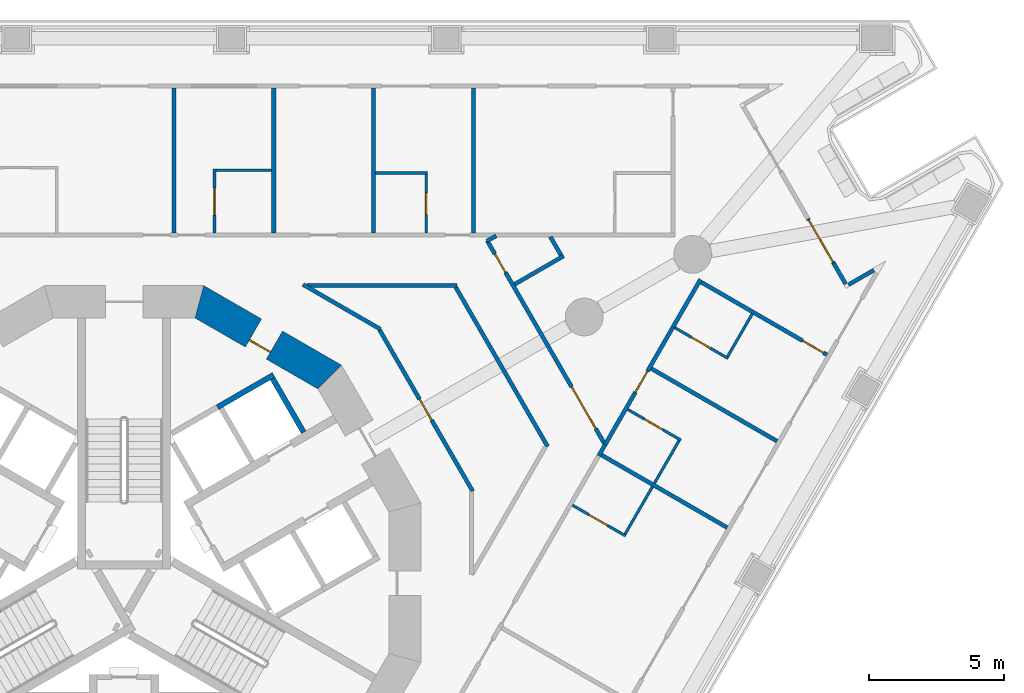
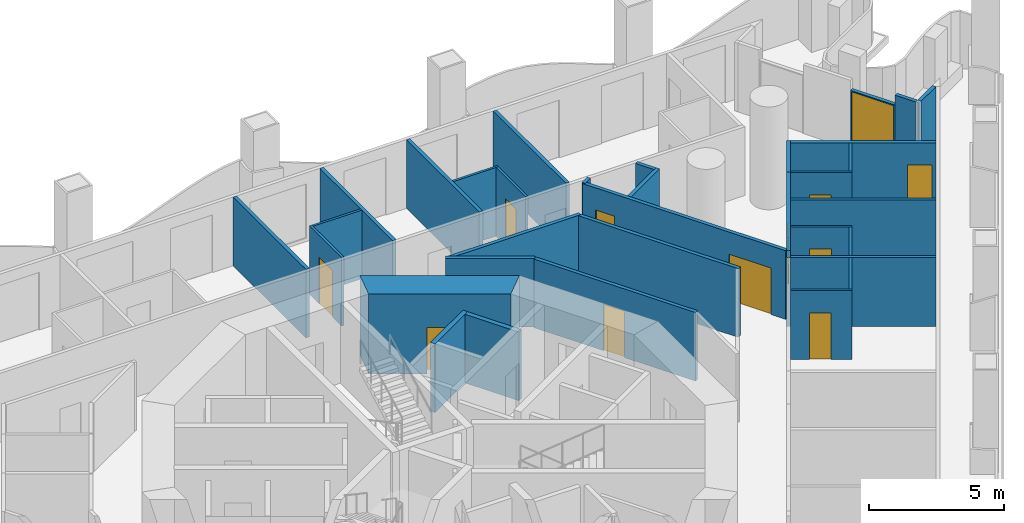
# One storey, part 9 of 19: 34 walls, 12 doors, 12 openings.
"""IFC4 building model written with IfcOpenShell, lengths in metres."""

from ifc_helpers import new_model, si_unit, direction, frame, frame_2d, origin, place, context, subcontext, project, spatial, polyline, rectangle, outline, extrude, material, layer, layer_set, type_object, element, fill, save


model = new_model("IFC4")

# Units and contexts
model_context = context("Model", 3, precision=1e-05, world=origin(), true_north=direction((0.0, 1.0)))
body_context = subcontext(model_context, "Body", "Model", "MODEL_VIEW")
ifc_project = project(units=[si_unit("LENGTHUNIT", "METRE"), si_unit("AREAUNIT", "SQUARE_METRE"), si_unit("VOLUMEUNIT", "CUBIC_METRE"), si_unit("PLANEANGLEUNIT", "RADIAN"), si_unit("MASSUNIT", "GRAM", prefix="KILO")], contexts=[model_context])

# Site, building, storey
site_placement = place(None, origin())
site = spatial("IfcSite", under=ifc_project, at=site_placement, CompositionType="ELEMENT")
building_placement = place(site_placement, origin())
building = spatial("IfcBuilding", under=site, at=building_placement, Name="Trine Commons Tower", CompositionType="ELEMENT")
storey_placement = place(building_placement, frame((0.0, 0.0, 42.300048828125)))
storey = spatial("IfcBuildingStorey", under=building, at=storey_placement, Name="L09", CompositionType="ELEMENT", Elevation=42.300048828125)

# Wall, opening, door
ifc_material_1 = material(Name="Aluminium-framed insulated wall panel", Category="aluminium")
ifc_layer_1 = layer(ifc_material_1, 0.14990234375)
ifc_layer_set_1 = layer_set([ifc_layer_1], Name="Aluminium-framed insulated wall panel")
wall_type_1 = type_object("IfcWallType", Name="Glazed frame wall 150, EI 60", PredefinedType="SOLIDWALL", material=ifc_layer_set_1)
wall_1_placement = place(storey_placement, frame((105.358642578125, 75.986083984375, 0.0), z_axis=(0.0, 0.0, 1.0), x_axis=(0.499967155389, -0.866044365799, 0.0)))
wall_1 = element("IfcWall", 1, at=wall_1_placement, inside=storey, type_object=wall_type_1, Name="Glazed frame wall P2.4", PredefinedType="SOLIDWALL", context=body_context, shape_type="SweptSolid", body=[
    extrude(outline(polyline([(0.0, -0.074951171875), (1.89990234375, -0.074951171875), (1.89990234375, 0.074951171875), (0.0, 0.074951171875), (0.0, -0.074951171875)])), origin(), (0.0, 0.0, 1.0), 2.64990234375),
])
opening_1_placement = place(wall_1_placement, frame((0.050048828125, 0.0, 0.0)))
opening_1 = element("IfcOpeningElement", 2, at=opening_1_placement, cuts=wall_1, Name="Opening BD-1P2-02", PredefinedType="OPENING", context=body_context, shape_type="SweptSolid", body=[
    extrude(rectangle(XDim=1.800048828125, YDim=2.60009765625, at=frame_2d((0.89990234375, 1.300048828125))), frame((0.0, 0.0849609375, 0.0), z_axis=(0.0, -1.0, 0.0), x_axis=(1.0, 0.0, 0.0)), (0.0, 0.0, 1.0), 0.169921875),
])
ifc_material_2 = material(Name="Anodised aluminium frame with double glazing", Category="aluminium")
door_type_1 = type_object("IfcDoorType", Name="Sliding loggia door 1800x2600", OperationType="SLIDING_TO_LEFT", PredefinedType="DOOR", material=ifc_material_2)
door_1_placement = place(opening_1_placement, origin())
door_1 = element("IfcDoor", 3, at=door_1_placement, inside=storey, type_object=door_type_1, Name="Loggia door P2 2", OperationType="SLIDING_TO_LEFT", OverallHeight=2.60009765625, OverallWidth=1.800048828125, PredefinedType="DOOR", context=body_context, shape_type="SweptSolid", body=[
    extrude(rectangle(XDim=1.800048828125, YDim=2.60009765625, at=frame_2d((0.89990234375, 1.300048828125))), frame((0.0, 0.02490234375, 0.0), z_axis=(0.0, -1.0, 0.0), x_axis=(1.0, 0.0, 0.0)), (0.0, 0.0, 1.0), 0.050048828125),
])
fill(opening_1, door_1)

# Walls
wall_2_placement = place(storey_placement, frame((106.30859375, 74.340576171875, 0.0), z_axis=(0.0, 0.0, 1.0), x_axis=(0.50002537861, -0.866010750942, 0.0)))
element("IfcWall", 4, at=wall_2_placement, inside=storey, type_object=wall_type_1, Name="Glazed frame wall P2.5", PredefinedType="SOLIDWALL", context=body_context, shape_type="SweptSolid", body=[
    extrude(outline(polyline([(0.889892578125, 0.074951171875), (0.0, 0.074951171875), (0.0, -0.074951171875), (0.889892578125, -0.074951171875), (0.889892578125, 0.074951171875)])), origin(), (0.0, 0.0, 1.0), 3.099853515625),
])
wall_3_placement = place(storey_placement, frame((106.7607421875, 73.4873046875, 0.0), z_axis=(0.0, 0.0, 1.0), x_axis=(0.865989100438, 0.500062873969, 0.0)))
element("IfcWall", 5, at=wall_3_placement, inside=storey, type_object=wall_type_1, Name="Glazed frame wall R7", PredefinedType="SOLIDWALL", context=body_context, shape_type="SweptSolid", body=[
    extrude(outline(polyline([(0.110107421875, 0.074951171875), (0.110107421875, -0.074951171875), (1.19580078125, -0.074951171875), (1.19580078125, 0.074951171875), (0.110107421875, 0.074951171875)])), origin(), (0.0, 0.0, 1.0), 3.099853515625),
])

# Wall, opening, door
ifc_material_3 = material(Name="Concrete C80/95", Category="concrete")
ifc_layer_2 = layer(ifc_material_3, 1.199951171875)
ifc_layer_set_2 = layer_set([ifc_layer_2], Name="Concrete C80/95")
wall_type_2 = type_object("IfcWallType", Name="RC shear wall 1200 mm, C80/95", PredefinedType="SHEAR", material=ifc_layer_set_2)
wall_4_placement = place(storey_placement, frame((87.760986328125, 70.04150390625, 0.0), z_axis=(0.0, 0.0, 1.0), x_axis=(-0.866037463336, 0.499979111662, 0.0)))
wall_4 = element("IfcWall", 6, at=wall_4_placement, inside=storey, type_object=wall_type_2, Name="Core wall CWA-03 L09", PredefinedType="SHEAR", context=body_context, shape_type="SweptSolid", body=[
    extrude(outline(polyline([(0.0, -0.60009765625), (5.901123046875, -0.60009765625), (5.57958984375, 0.60009765625), (0.321533203125, 0.60009765625), (0.0, -0.60009765625)])), origin(), (0.0, 0.0, 1.0), 3.599853515625),
])
opening_2_placement = place(wall_4_placement, frame((2.526611328125, 0.0, 0.0)))
opening_2 = element("IfcOpeningElement", 7, at=opening_2_placement, cuts=wall_4, Name="Opening K04.12", PredefinedType="OPENING", context=body_context, shape_type="SweptSolid", body=[
    extrude(rectangle(XDim=0.89990234375, YDim=2.10009765625, at=frame_2d((0.449951171875, 1.050048828125))), frame((0.0, 0.60986328125, 0.0), z_axis=(0.0, -1.0, 0.0), x_axis=(1.0, 0.0, 0.0)), (0.0, 0.0, 1.0), 1.219970703125),
])
ifc_material_4 = material(Name="Steel door leaf, fire-rated", Category="steel")
door_type_2 = type_object("IfcDoorType", Name="Core room door, single leaf 900 x 2100, FD30S", OperationType="SINGLE_SWING_LEFT", PredefinedType="DOOR", material=ifc_material_4)
door_2_placement = place(opening_2_placement, origin())
door_2 = element("IfcDoor", 8, at=door_2_placement, inside=storey, type_object=door_type_2, Name="Door to Linen store L09", OperationType="SINGLE_SWING_RIGHT", OverallHeight=2.10009765625, OverallWidth=0.89990234375, PredefinedType="DOOR", context=body_context, shape_type="SweptSolid", body=[
    extrude(rectangle(XDim=0.89990234375, YDim=2.10009765625, at=frame_2d((0.449951171875, 1.050048828125))), frame((0.0, 0.3251953125, 0.0), z_axis=(0.0, -1.0, 0.0), x_axis=(1.0, 0.0, 0.0)), (0.0, 0.0, 1.0), 0.050048828125),
])
fill(opening_2, door_2)

# Walls
ifc_material_5 = material(Name="Fire-rated gypsum shaft wall system")
ifc_layer_3 = layer(ifc_material_5, 0.199951171875)
ifc_layer_set_3 = layer_set([ifc_layer_3], Name="Fire-rated gypsum shaft wall system")
wall_type_3 = type_object("IfcWallType", Name="Shaft wall 200 mm, EI 120", PredefinedType="PARTITIONING", material=ifc_layer_set_3)
wall_5_placement = place(storey_placement, frame((83.4619140625, 69.001953125, 0.0), z_axis=(0.0, 0.0, 1.0), x_axis=(0.866202511239, 0.499693115345, 0.0)))
element("IfcWall", 9, at=wall_5_placement, inside=storey, type_object=wall_type_3, Name="Shaft wall L09", PredefinedType="PARTITIONING", context=body_context, shape_type="SweptSolid", body=[
    extrude(rectangle(XDim=2.4013671875, YDim=0.199951171875, at=frame_2d((1.20068359375, 0.0))), origin(), (0.0, 0.0, 1.0), 3.099853515625),
])
wall_6_placement = place(storey_placement, frame((86.655029296875, 68.073974609375, 0.0), z_axis=(0.0, 0.0, 1.0), x_axis=(-0.500215680983, 0.865900844496, 0.0)))
element("IfcWall", 10, at=wall_6_placement, inside=storey, type_object=wall_type_3, Name="Shaft wall L09", PredefinedType="PARTITIONING", context=body_context, shape_type="SweptSolid", body=[
    extrude(rectangle(XDim=2.29931640625, YDim=0.199951171875, at=frame_2d((1.149658203125, 0.0))), origin(), (0.0, 0.0, 1.0), 3.099853515625),
])
ifc_material_6 = material(Name="Gypsum plasterboard on steel stud", Category="steel")
ifc_layer_4 = layer(ifc_material_6, 0.14990234375)
ifc_layer_set_4 = layer_set([ifc_layer_4], Name="Gypsum plasterboard on steel stud")
wall_type_4 = type_object("IfcWallType", Name="Unit and corridor wall 150 mm, EI 60", PredefinedType="PARTITIONING", material=ifc_layer_set_4)
for number, where, z_axis, x_axis, name in (
    (11, (81.84912109375, 75.4619140625, 0.0), (0.0, 0.0, 1.0), (0.0, 1.0, 0.0), "Partition 065"),
    (12, (85.548095703125, 75.4619140625, 0.0), (0.0, 0.0, 1.0), (0.0, 1.0, 0.0), "Partition 080"),
):
    element("IfcWall", number, at=place(storey_placement, frame(where, z_axis=z_axis, x_axis=x_axis)), inside=storey, type_object=wall_type_4, Name=name, PredefinedType="PARTITIONING", context=body_context, shape_type="SweptSolid", body=[
        extrude(rectangle(XDim=5.383056640625, YDim=0.14990234375, at=frame_2d((2.69140625, 0.0))), origin(), (0.0, 0.0, 1.0), 3.099853515625),
    ])
wall_7_placement = place(storey_placement, frame((86.633056640625, 73.551513671875, 0.0), z_axis=(0.0, 0.0, 1.0), x_axis=(0.865959508231, -0.500114117081, 0.0)))
element("IfcWall", 13, at=wall_7_placement, inside=storey, type_object=wall_type_4, Name="Partition 084", PredefinedType="PARTITIONING", context=body_context, shape_type="SweptSolid", body=[
    extrude(rectangle(XDim=3.309326171875, YDim=0.14990234375, at=frame_2d((1.65478515625, 0.0))), origin(), (0.0, 0.0, 1.0), 3.099853515625),
])
wall_8_placement = place(storey_placement, frame((86.77587890625, 73.511962890625, 0.0), z_axis=(0.0, 0.0, 1.0), x_axis=(1.0, 0.0, 0.0)))
element("IfcWall", 14, at=wall_8_placement, inside=storey, type_object=wall_type_4, Name="Partition 085", PredefinedType="PARTITIONING", context=body_context, shape_type="SweptSolid", body=[
    extrude(rectangle(XDim=5.55810546875, YDim=0.14990234375, at=frame_2d((2.779052734375, 0.0))), origin(), (0.0, 0.0, 1.0), 3.099853515625),
])
wall_9_placement = place(storey_placement, frame((89.2470703125, 75.4619140625, 0.0), z_axis=(0.0, 0.0, 1.0), x_axis=(0.0, 1.0, 0.0)))
element("IfcWall", 15, at=wall_9_placement, inside=storey, type_object=wall_type_4, Name="Partition 091", PredefinedType="PARTITIONING", context=body_context, shape_type="SweptSolid", body=[
    extrude(rectangle(XDim=5.383056640625, YDim=0.14990234375, at=frame_2d((2.69140625, 0.0))), origin(), (0.0, 0.0, 1.0), 3.099853515625),
])

# Wall, opening, door
wall_10_placement = place(storey_placement, frame((89.471435546875, 71.868896484375, 0.0), z_axis=(0.0, 0.0, 1.0), x_axis=(0.50000193825, -0.866024284732, 0.0)))
wall_10 = element("IfcWall", 16, at=wall_10_placement, inside=storey, type_object=wall_type_4, Name="Partition 094", PredefinedType="PARTITIONING", context=body_context, shape_type="SweptSolid", body=[
    extrude(rectangle(XDim=6.90625, YDim=0.14990234375, at=frame_2d((3.453125, 0.0))), origin(), (0.0, 0.0, 1.0), 3.099853515625),
])
opening_3_placement = place(wall_10_placement, frame((2.965576171875, 0.0, 0.0)))
opening_3 = element("IfcOpeningElement", 17, at=opening_3_placement, cuts=wall_10, Name="Opening D-1B30", PredefinedType="OPENING", context=body_context, shape_type="SweptSolid", body=[
    extrude(rectangle(XDim=0.89990234375, YDim=2.10009765625, at=frame_2d((0.449951171875, 1.050048828125))), frame((0.0, 0.0849609375, 0.0), z_axis=(0.0, -1.0, 0.0), x_axis=(1.0, 0.0, 0.0)), (0.0, 0.0, 1.0), 0.169921875),
])
ifc_material_7 = material(Name="Timber fire door set", Category="wood")
door_type_3 = type_object("IfcDoorType", Name="Service door 900 x 2100, FD30S", OperationType="NOTDEFINED", PredefinedType="DOOR", material=ifc_material_7)
door_3_placement = place(opening_3_placement, origin())
door_3 = element("IfcDoor", 18, at=door_3_placement, inside=storey, type_object=door_type_3, Name="Door D-1B30", OperationType="SINGLE_SWING_LEFT", OverallHeight=2.10009765625, OverallWidth=0.89990234375, PredefinedType="DOOR", context=body_context, shape_type="SweptSolid", body=[
    extrude(rectangle(XDim=0.89990234375, YDim=2.10009765625, at=frame_2d((0.449951171875, 1.050048828125))), frame((0.0, 0.02490234375, 0.0), z_axis=(0.0, -1.0, 0.0), x_axis=(1.0, 0.0, 0.0)), (0.0, 0.0, 1.0), 0.050048828125),
])
fill(opening_3, door_3)

# Walls
wall_11_placement = place(storey_placement, frame((92.29638671875, 73.447021484375, 0.0), z_axis=(0.0, 0.0, 1.0), x_axis=(0.499961235371, -0.866047783397, 0.0)))
element("IfcWall", 19, at=wall_11_placement, inside=storey, type_object=wall_type_4, Name="Partition 099", PredefinedType="PARTITIONING", context=body_context, shape_type="SweptSolid", body=[
    extrude(rectangle(XDim=6.81494140625, YDim=0.14990234375, at=frame_2d((3.407470703125, 0.0))), origin(), (0.0, 0.0, 1.0), 3.099853515625),
])
wall_12_placement = place(storey_placement, frame((92.946044921875, 75.4619140625, 0.0), z_axis=(0.0, 0.0, 1.0), x_axis=(0.0, 1.0, 0.0)))
element("IfcWall", 20, at=wall_12_placement, inside=storey, type_object=wall_type_4, Name="Partition 103", PredefinedType="PARTITIONING", context=body_context, shape_type="SweptSolid", body=[
    extrude(rectangle(XDim=5.383056640625, YDim=0.14990234375, at=frame_2d((2.69140625, 0.0))), origin(), (0.0, 0.0, 1.0), 3.099853515625),
])

# Wall, openings, doors
wall_13_placement = place(storey_placement, frame((93.464111328125, 75.173095703125, 0.0), z_axis=(0.0, 0.0, 1.0), x_axis=(0.50002999923, -0.866008083028, 0.0)))
wall_13 = element("IfcWall", 21, at=wall_13_placement, inside=storey, type_object=wall_type_4, Name="Partition 104", PredefinedType="PARTITIONING", context=body_context, shape_type="SweptSolid", body=[
    extrude(rectangle(XDim=8.658203125, YDim=0.14990234375, at=frame_2d((4.3291015625, 0.0))), origin(), (0.0, 0.0, 1.0), 3.099853515625),
])
opening_4_placement = place(wall_13_placement, frame((6.24560546875, 0.0, 0.0)))
opening_4 = element("IfcOpeningElement", 22, at=opening_4_placement, cuts=wall_13, Name="Opening D-1B01", PredefinedType="OPENING", context=body_context, shape_type="SweptSolid", body=[
    extrude(rectangle(XDim=1.800048828125, YDim=2.10009765625, at=frame_2d((0.89990234375, 1.050048828125))), frame((0.0, 0.0849609375, 0.0), z_axis=(0.0, -1.0, 0.0), x_axis=(1.0, 0.0, 0.0)), (0.0, 0.0, 1.0), 0.169921875),
])
opening_5_placement = place(wall_13_placement, frame((0.55322265625, 0.0, 0.0)))
opening_5 = element("IfcOpeningElement", 23, at=opening_5_placement, cuts=wall_13, Name="Opening D-1B04", PredefinedType="OPENING", context=body_context, shape_type="SweptSolid", body=[
    extrude(rectangle(XDim=0.800048828125, YDim=2.10009765625, at=frame_2d((0.39990234375, 1.050048828125))), frame((0.0, 0.0849609375, 0.0), z_axis=(0.0, -1.0, 0.0), x_axis=(1.0, 0.0, 0.0)), (0.0, 0.0, 1.0), 0.169921875),
])
door_type_4 = type_object("IfcDoorType", Name="Cluster entrance door 1800 x 2100, double leaf, FD30S", OperationType="DOUBLE_DOOR_DOUBLE_SWING", PredefinedType="DOOR", material=ifc_material_7)
door_4_placement = place(opening_4_placement, origin())
door_4 = element("IfcDoor", 24, at=door_4_placement, inside=storey, type_object=door_type_4, Name="Door D-1B01", OperationType="DOUBLE_DOOR_DOUBLE_SWING", OverallHeight=2.10009765625, OverallWidth=1.800048828125, PredefinedType="DOOR", context=body_context, shape_type="SweptSolid", body=[
    extrude(rectangle(XDim=1.800048828125, YDim=2.10009765625, at=frame_2d((0.89990234375, 1.050048828125))), frame((0.0, 0.02490234375, 0.0), z_axis=(0.0, -1.0, 0.0), x_axis=(1.0, 0.0, 0.0)), (0.0, 0.0, 1.0), 0.050048828125),
])
fill(opening_4, door_4)
ifc_material_8 = material(Name="Painted timber", Category="wood")
door_type_5 = type_object("IfcDoorType", Name="Toilet door 800 x 2100, NOT RATED", OperationType="NOTDEFINED", PredefinedType="DOOR", material=ifc_material_8)
door_5_placement = place(opening_5_placement, origin())
door_5 = element("IfcDoor", 25, at=door_5_placement, inside=storey, type_object=door_type_5, Name="Door D-1B04", OperationType="SINGLE_SWING_LEFT", OverallHeight=2.10009765625, OverallWidth=0.800048828125, PredefinedType="DOOR", context=body_context, shape_type="SweptSolid", body=[
    extrude(rectangle(XDim=0.800048828125, YDim=2.10009765625, at=frame_2d((0.39990234375, 1.050048828125))), frame((0.0, 0.02490234375, 0.0), z_axis=(0.0, -1.0, 0.0), x_axis=(1.0, 0.0, 0.0)), (0.0, 0.0, 1.0), 0.050048828125),
])
fill(opening_5, door_5)

# Walls
wall_14_placement = place(storey_placement, frame((93.447998046875, 75.159423828125, 0.0), z_axis=(0.0, 0.0, 1.0), x_axis=(0.865412357026, 0.50106032801, 0.0)))
element("IfcWall", 26, at=wall_14_placement, inside=storey, type_object=wall_type_4, Name="Partition 105", PredefinedType="PARTITIONING", context=body_context, shape_type="SweptSolid", body=[
    extrude(rectangle(XDim=0.400146484375, YDim=0.14990234375, at=frame_2d((0.2001953125, 0.0))), origin(), (0.0, 0.0, 1.0), 3.099853515625),
])
wall_15_placement = place(storey_placement, frame((94.48095703125, 73.5625, 0.0), z_axis=(0.0, 0.0, 1.0), x_axis=(0.866067520717, 0.499927044236, 0.0)))
element("IfcWall", 27, at=wall_15_placement, inside=storey, type_object=wall_type_4, Name="Partition 108", PredefinedType="PARTITIONING", context=body_context, shape_type="SweptSolid", body=[
    extrude(rectangle(XDim=2.100341796875, YDim=0.14990234375, at=frame_2d((1.05029296875, 0.0))), origin(), (0.0, 0.0, 1.0), 3.099853515625),
])
wall_16_placement = place(storey_placement, frame((95.803466796875, 75.322021484375, 0.0), z_axis=(0.0, 0.0, 1.0), x_axis=(0.500205309043, -0.8659068361, 0.0)))
element("IfcWall", 28, at=wall_16_placement, inside=storey, type_object=wall_type_4, Name="Partition 109", PredefinedType="PARTITIONING", context=body_context, shape_type="SweptSolid", body=[
    extrude(rectangle(XDim=0.787841796875, YDim=0.14990234375, at=frame_2d((0.39404296875, 0.0))), origin(), (0.0, 0.0, 1.0), 3.099853515625),
])
wall_17_placement = place(storey_placement, frame((97.594482421875, 67.199951171875, 0.0), z_axis=(0.0, 0.0, 1.0), x_axis=(0.499633176362, 0.866237085952, 0.0)))
element("IfcWall", 29, at=wall_17_placement, inside=storey, type_object=wall_type_4, Name="Partition 111", PredefinedType="PARTITIONING", context=body_context, shape_type="SweptSolid", body=[
    extrude(rectangle(XDim=0.473388671875, YDim=0.14990234375, at=frame_2d((0.23681640625, 0.0))), origin(), (0.0, 0.0, 1.0), 3.099853515625),
])
wall_18_placement = place(storey_placement, frame((97.697998046875, 67.2314453125, 0.0), z_axis=(0.0, 0.0, 1.0), x_axis=(0.866057962423, -0.499943602543, 0.0)))
element("IfcWall", 30, at=wall_18_placement, inside=storey, type_object=wall_type_4, Name="Partition 112", PredefinedType="PARTITIONING", context=body_context, shape_type="SweptSolid", body=[
    extrude(rectangle(XDim=5.38330078125, YDim=0.14990234375, at=frame_2d((2.691650390625, 0.0))), origin(), (0.0, 0.0, 1.0), 3.099853515625),
])

# Wall, opening, door
wall_19_placement = place(storey_placement, frame((97.8310546875, 67.610107421875, 0.0), z_axis=(0.0, 0.0, 1.0), x_axis=(0.499897640103, 0.866084493234, 0.0)))
wall_19 = element("IfcWall", 31, at=wall_19_placement, inside=storey, type_object=wall_type_4, Name="Partition 113", PredefinedType="PARTITIONING", context=body_context, shape_type="SweptSolid", body=[
    extrude(rectangle(XDim=5.10693359375, YDim=0.14990234375, at=frame_2d((2.553466796875, 0.0))), origin(), (0.0, 0.0, 1.0), 3.099853515625),
])
opening_6_placement = place(wall_19_placement, frame((2.254638671875, 0.0, 0.0)))
opening_6 = element("IfcOpeningElement", 32, at=opening_6_placement, cuts=wall_19, Name="Opening D-1B16", PredefinedType="OPENING", context=body_context, shape_type="SweptSolid", body=[
    extrude(rectangle(XDim=0.89990234375, YDim=2.10009765625, at=frame_2d((0.449951171875, 1.050048828125))), frame((0.0, 0.0849609375, 0.0), z_axis=(0.0, -1.0, 0.0), x_axis=(1.0, 0.0, 0.0)), (0.0, 0.0, 1.0), 0.169921875),
])
door_type_6 = type_object("IfcDoorType", Name="Bedroom door 900 x 2100, FD30S", OperationType="NOTDEFINED", PredefinedType="DOOR", material=ifc_material_7)
door_6_placement = place(opening_6_placement, frame((0.89990234375, 0.0, 0.0), z_axis=(0.0, 0.0, 1.0), x_axis=(-1.0, 0.0, 0.0)))
door_6 = element("IfcDoor", 33, at=door_6_placement, inside=storey, type_object=door_type_6, Name="Door D-1B16", OperationType="SINGLE_SWING_LEFT", OverallHeight=2.10009765625, OverallWidth=0.89990234375, PredefinedType="DOOR", context=body_context, shape_type="SweptSolid", body=[
    extrude(rectangle(XDim=0.89990234375, YDim=2.10009765625, at=frame_2d((0.449951171875, 1.050048828125))), frame((0.0, 0.02490234375, 0.0), z_axis=(0.0, -1.0, 0.0), x_axis=(1.0, 0.0, 0.0)), (0.0, 0.0, 1.0), 0.050048828125),
])
fill(opening_6, door_6)

# Walls
wall_20_placement = place(storey_placement, frame((99.548095703125, 70.4345703125, 0.0), z_axis=(0.0, 0.0, 1.0), x_axis=(0.865992970276, -0.500056172277, 0.0)))
element("IfcWall", 34, at=wall_20_placement, inside=storey, type_object=wall_type_4, Name="Partition 118", PredefinedType="PARTITIONING", context=body_context, shape_type="SweptSolid", body=[
    extrude(rectangle(XDim=5.3828125, YDim=0.14990234375, at=frame_2d((2.69140625, 0.0))), origin(), (0.0, 0.0, 1.0), 3.099853515625),
])
wall_21_placement = place(storey_placement, frame((100.35595703125, 71.98388671875, 0.0), z_axis=(0.0, 0.0, 1.0), x_axis=(0.499830165567, 0.866123435539, 0.0)))
element("IfcWall", 35, at=wall_21_placement, inside=storey, type_object=wall_type_4, Name="Partition 121", PredefinedType="PARTITIONING", context=body_context, shape_type="SweptSolid", body=[
    extrude(rectangle(XDim=2.027587890625, YDim=0.14990234375, at=frame_2d((1.013671875, 0.0))), origin(), (0.0, 0.0, 1.0), 3.099853515625),
])

# Wall, opening, door
wall_22_placement = place(storey_placement, frame((101.39697265625, 73.637451171875, 0.0), z_axis=(0.0, 0.0, 1.0), x_axis=(0.866057962423, -0.499943602543, 0.0)))
wall_22 = element("IfcWall", 36, at=wall_22_placement, inside=storey, type_object=wall_type_4, Name="Partition 123", PredefinedType="PARTITIONING", context=body_context, shape_type="SweptSolid", body=[
    extrude(rectangle(XDim=5.38330078125, YDim=0.14990234375, at=frame_2d((2.691650390625, 0.0))), origin(), (0.0, 0.0, 1.0), 3.099853515625),
])
opening_7_placement = place(wall_22_placement, frame((4.33349609375, 0.0, 0.0)))
opening_7 = element("IfcOpeningElement", 37, at=opening_7_placement, cuts=wall_22, Name="Opening D-1B15", PredefinedType="OPENING", context=body_context, shape_type="SweptSolid", body=[
    extrude(rectangle(XDim=0.89990234375, YDim=2.10009765625, at=frame_2d((0.449951171875, 1.050048828125))), frame((0.0, 0.0849609375, 0.0), z_axis=(0.0, -1.0, 0.0), x_axis=(1.0, 0.0, 0.0)), (0.0, 0.0, 1.0), 0.169921875),
])
door_7_placement = place(opening_7_placement, frame((0.89990234375, 0.0, 0.0), z_axis=(0.0, 0.0, 1.0), x_axis=(-1.0, 0.0, 0.0)))
door_7 = element("IfcDoor", 38, at=door_7_placement, inside=storey, type_object=door_type_6, Name="Door D-1B15", OperationType="SINGLE_SWING_LEFT", OverallHeight=2.10009765625, OverallWidth=0.89990234375, PredefinedType="DOOR", context=body_context, shape_type="SweptSolid", body=[
    extrude(rectangle(XDim=0.89990234375, YDim=2.10009765625, at=frame_2d((0.449951171875, 1.050048828125))), frame((0.0, 0.02490234375, 0.0), z_axis=(0.0, -1.0, 0.0), x_axis=(1.0, 0.0, 0.0)), (0.0, 0.0, 1.0), 0.050048828125),
])
fill(opening_7, door_7)

ifc_layer_5 = layer(ifc_material_6, 0.10009765625)
ifc_layer_set_5 = layer_set([ifc_layer_5], Name="Gypsum plasterboard on steel stud")
wall_type_5 = type_object("IfcWallType", Name="Unit partition 100 mm, no rating", PredefinedType="PARTITIONING", material=ifc_layer_set_5)
wall_23_placement = place(storey_placement, frame((83.347900390625, 75.4619140625, 0.0), z_axis=(0.0, 0.0, 1.0), x_axis=(0.0, 1.0, 0.0)))
wall_23 = element("IfcWall", 39, at=wall_23_placement, inside=storey, type_object=wall_type_5, Name="Partition 072", PredefinedType="PARTITIONING", context=body_context, shape_type="SweptSolid", body=[
    extrude(rectangle(XDim=2.375, YDim=0.10009765625, at=frame_2d((1.1875, 0.0))), origin(), (0.0, 0.0, 1.0), 3.099853515625),
])
opening_8_placement = place(wall_23_placement, frame((0.66259765625, 0.0, 0.0)))
opening_8 = element("IfcOpeningElement", 40, at=opening_8_placement, cuts=wall_23, Name="Opening D-1B41", PredefinedType="OPENING", context=body_context, shape_type="SweptSolid", body=[
    extrude(rectangle(XDim=1.0, YDim=2.10009765625, at=frame_2d((0.5, 1.050048828125))), frame((0.0, 0.06005859375, 0.0), z_axis=(0.0, -1.0, 0.0), x_axis=(1.0, 0.0, 0.0)), (0.0, 0.0, 1.0), 0.1201171875),
])
door_type_7 = type_object("IfcDoorType", Name="Internal door 1000 x 2100, NOT RATED", OperationType="NOTDEFINED", PredefinedType="DOOR", material=ifc_material_8)
door_8_placement = place(opening_8_placement, origin())
door_8 = element("IfcDoor", 41, at=door_8_placement, inside=storey, type_object=door_type_7, Name="Door D-1B41", OperationType="SINGLE_SWING_LEFT", OverallHeight=2.10009765625, OverallWidth=1.0, PredefinedType="DOOR", context=body_context, shape_type="SweptSolid", body=[
    extrude(rectangle(XDim=1.0, YDim=2.10009765625, at=frame_2d((0.5, 1.050048828125))), frame((0.0, 0.02490234375, 0.0), z_axis=(0.0, -1.0, 0.0), x_axis=(1.0, 0.0, 0.0)), (0.0, 0.0, 1.0), 0.050048828125),
])
fill(opening_8, door_8)

# Walls
wall_24_placement = place(storey_placement, frame((83.39794921875, 77.787109375, 0.0), z_axis=(0.0, 0.0, 1.0), x_axis=(1.0, 0.0, 0.0)))
element("IfcWall", 42, at=wall_24_placement, inside=storey, type_object=wall_type_5, Name="Partition 073", PredefinedType="PARTITIONING", context=body_context, shape_type="SweptSolid", body=[
    extrude(rectangle(XDim=2.074951171875, YDim=0.10009765625, at=frame_2d((1.03759765625, 0.0))), origin(), (0.0, 0.0, 1.0), 3.099853515625),
])
wall_25_placement = place(storey_placement, frame((89.322021484375, 77.68701171875, 0.0), z_axis=(0.0, 0.0, 1.0), x_axis=(1.0, 0.0, 0.0)))
element("IfcWall", 43, at=wall_25_placement, inside=storey, type_object=wall_type_5, Name="Partition 092", PredefinedType="PARTITIONING", context=body_context, shape_type="SweptSolid", body=[
    extrude(rectangle(XDim=1.925048828125, YDim=0.10009765625, at=frame_2d((0.96240234375, 0.0))), origin(), (0.0, 0.0, 1.0), 3.099853515625),
])

# Wall, opening, door
wall_26_placement = place(storey_placement, frame((91.197021484375, 75.4619140625, 0.0), z_axis=(0.0, 0.0, 1.0), x_axis=(0.0, 1.0, 0.0)))
wall_26 = element("IfcWall", 44, at=wall_26_placement, inside=storey, type_object=wall_type_5, Name="Partition 097", PredefinedType="PARTITIONING", context=body_context, shape_type="SweptSolid", body=[
    extrude(rectangle(XDim=2.175048828125, YDim=0.10009765625, at=frame_2d((1.08740234375, 0.0))), origin(), (0.0, 0.0, 1.0), 3.099853515625),
])
opening_9_placement = place(wall_26_placement, frame((0.6875, 0.0, 0.0)))
opening_9 = element("IfcOpeningElement", 45, at=opening_9_placement, cuts=wall_26, Name="Opening D-1B42", PredefinedType="OPENING", context=body_context, shape_type="SweptSolid", body=[
    extrude(rectangle(XDim=0.800048828125, YDim=2.10009765625, at=frame_2d((0.39990234375, 1.050048828125))), frame((0.0, 0.06005859375, 0.0), z_axis=(0.0, -1.0, 0.0), x_axis=(1.0, 0.0, 0.0)), (0.0, 0.0, 1.0), 0.1201171875),
])
door_type_8 = type_object("IfcDoorType", Name="Internal door 800 x 2100, NOT RATED", OperationType="NOTDEFINED", PredefinedType="DOOR", material=ifc_material_8)
door_9_placement = place(opening_9_placement, frame((0.800048828125, 0.0, 0.0), z_axis=(0.0, 0.0, 1.0), x_axis=(-1.0, 0.0, 0.0)))
door_9 = element("IfcDoor", 46, at=door_9_placement, inside=storey, type_object=door_type_8, Name="Door D-1B42", OperationType="SINGLE_SWING_RIGHT", OverallHeight=2.10009765625, OverallWidth=0.800048828125, PredefinedType="DOOR", context=body_context, shape_type="SweptSolid", body=[
    extrude(rectangle(XDim=0.800048828125, YDim=2.10009765625, at=frame_2d((0.39990234375, 1.050048828125))), frame((0.0, 0.02490234375, 0.0), z_axis=(0.0, -1.0, 0.0), x_axis=(1.0, 0.0, 0.0)), (0.0, 0.0, 1.0), 0.050048828125),
])
fill(opening_9, door_9)

wall_27_placement = place(storey_placement, frame((96.623046875, 65.369384765625, 0.0), z_axis=(0.0, 0.0, 1.0), x_axis=(0.866035472144, -0.499982560684, 0.0)))
wall_27 = element("IfcWall", 47, at=wall_27_placement, inside=storey, type_object=wall_type_5, Name="Partition 110", PredefinedType="PARTITIONING", context=body_context, shape_type="SweptSolid", body=[
    extrude(rectangle(XDim=2.27490234375, YDim=0.10009765625, at=frame_2d((1.137451171875, 0.0))), origin(), (0.0, 0.0, 1.0), 3.099853515625),
])
opening_10_placement = place(wall_27_placement, frame((0.712646484375, 0.0, 0.0)))
opening_10 = element("IfcOpeningElement", 48, at=opening_10_placement, cuts=wall_27, Name="Opening D-1B46", PredefinedType="OPENING", context=body_context, shape_type="SweptSolid", body=[
    extrude(rectangle(XDim=0.800048828125, YDim=2.10009765625, at=frame_2d((0.39990234375, 1.050048828125))), frame((0.0, 0.06005859375, 0.0), z_axis=(0.0, -1.0, 0.0), x_axis=(1.0, 0.0, 0.0)), (0.0, 0.0, 1.0), 0.1201171875),
])
door_10_placement = place(opening_10_placement, frame((0.800048828125, 0.0, 0.0), z_axis=(0.0, 0.0, 1.0), x_axis=(-1.0, 0.0, 0.0)))
door_10 = element("IfcDoor", 49, at=door_10_placement, inside=storey, type_object=door_type_8, Name="Door D-1B46", OperationType="SINGLE_SWING_RIGHT", OverallHeight=2.10009765625, OverallWidth=0.800048828125, PredefinedType="DOOR", context=body_context, shape_type="SweptSolid", body=[
    extrude(rectangle(XDim=0.800048828125, YDim=2.10009765625, at=frame_2d((0.39990234375, 1.050048828125))), frame((0.0, 0.02490234375, 0.0), z_axis=(0.0, -1.0, 0.0), x_axis=(1.0, 0.0, 0.0)), (0.0, 0.0, 1.0), 0.050048828125),
])
fill(opening_10, door_10)

# Wall
wall_28_placement = place(storey_placement, frame((98.574951171875, 64.30029296875, 0.0), z_axis=(0.0, 0.0, 1.0), x_axis=(0.499990325971, 0.866030989016, 0.0)))
element("IfcWall", 50, at=wall_28_placement, inside=storey, type_object=wall_type_5, Name="Partition 116", PredefinedType="PARTITIONING", context=body_context, shape_type="SweptSolid", body=[
    extrude(rectangle(XDim=2.02490234375, YDim=0.10009765625, at=frame_2d((1.012451171875, 0.0))), origin(), (0.0, 0.0, 1.0), 3.099853515625),
])

# Wall, opening, door
wall_29_placement = place(storey_placement, frame((98.673095703125, 68.91943359375, 0.0), z_axis=(0.0, 0.0, 1.0), x_axis=(0.866035472144, -0.499982560684, 0.0)))
wall_29 = element("IfcWall", 51, at=wall_29_placement, inside=storey, type_object=wall_type_5, Name="Partition 117", PredefinedType="PARTITIONING", context=body_context, shape_type="SweptSolid", body=[
    extrude(rectangle(XDim=2.27490234375, YDim=0.10009765625, at=frame_2d((1.137451171875, 0.0))), origin(), (0.0, 0.0, 1.0), 3.099853515625),
])
opening_11_placement = place(wall_29_placement, frame((0.712646484375, 0.0, 0.0)))
opening_11 = element("IfcOpeningElement", 52, at=opening_11_placement, cuts=wall_29, Name="Opening D-1B45", PredefinedType="OPENING", context=body_context, shape_type="SweptSolid", body=[
    extrude(rectangle(XDim=0.800048828125, YDim=2.10009765625, at=frame_2d((0.39990234375, 1.050048828125))), frame((0.0, 0.06005859375, 0.0), z_axis=(0.0, -1.0, 0.0), x_axis=(1.0, 0.0, 0.0)), (0.0, 0.0, 1.0), 0.1201171875),
])
door_11_placement = place(opening_11_placement, origin())
door_11 = element("IfcDoor", 53, at=door_11_placement, inside=storey, type_object=door_type_8, Name="Door D-1B45", OperationType="SINGLE_SWING_LEFT", OverallHeight=2.10009765625, OverallWidth=0.800048828125, PredefinedType="DOOR", context=body_context, shape_type="SweptSolid", body=[
    extrude(rectangle(XDim=0.800048828125, YDim=2.10009765625, at=frame_2d((0.39990234375, 1.050048828125))), frame((0.0, 0.02490234375, 0.0), z_axis=(0.0, -1.0, 0.0), x_axis=(1.0, 0.0, 0.0)), (0.0, 0.0, 1.0), 0.050048828125),
])
fill(opening_11, door_11)

# Wall
wall_30_placement = place(storey_placement, frame((99.66259765625, 66.183837890625, 0.0), z_axis=(0.0, 0.0, 1.0), x_axis=(0.50009699267, 0.865969397798, 0.0)))
element("IfcWall", 54, at=wall_30_placement, inside=storey, type_object=wall_type_5, Name="Partition 119", PredefinedType="PARTITIONING", context=body_context, shape_type="SweptSolid", body=[
    extrude(rectangle(XDim=1.824462890625, YDim=0.10009765625, at=frame_2d((0.912109375, 0.0))), origin(), (0.0, 0.0, 1.0), 3.099853515625),
])

# Wall, opening, door
wall_31_placement = place(storey_placement, frame((100.422119140625, 71.949462890625, 0.0), z_axis=(0.0, 0.0, 1.0), x_axis=(0.866035472144, -0.499982560684, 0.0)))
wall_31 = element("IfcWall", 55, at=wall_31_placement, inside=storey, type_object=wall_type_5, Name="Partition 122", PredefinedType="PARTITIONING", context=body_context, shape_type="SweptSolid", body=[
    extrude(rectangle(XDim=2.27490234375, YDim=0.10009765625, at=frame_2d((1.137451171875, 0.0))), origin(), (0.0, 0.0, 1.0), 3.099853515625),
])
opening_12_placement = place(wall_31_placement, frame((0.712646484375, 0.0, 0.0)))
opening_12 = element("IfcOpeningElement", 56, at=opening_12_placement, cuts=wall_31, Name="Opening D-1B44", PredefinedType="OPENING", context=body_context, shape_type="SweptSolid", body=[
    extrude(rectangle(XDim=0.800048828125, YDim=2.10009765625, at=frame_2d((0.39990234375, 1.050048828125))), frame((0.0, 0.06005859375, 0.0), z_axis=(0.0, -1.0, 0.0), x_axis=(1.0, 0.0, 0.0)), (0.0, 0.0, 1.0), 0.1201171875),
])
door_12_placement = place(opening_12_placement, frame((0.800048828125, 0.0, 0.0), z_axis=(0.0, 0.0, 1.0), x_axis=(-1.0, 0.0, 0.0)))
door_12 = element("IfcDoor", 57, at=door_12_placement, inside=storey, type_object=door_type_8, Name="Door D-1B44", OperationType="SINGLE_SWING_RIGHT", OverallHeight=2.10009765625, OverallWidth=0.800048828125, PredefinedType="DOOR", context=body_context, shape_type="SweptSolid", body=[
    extrude(rectangle(XDim=0.800048828125, YDim=2.10009765625, at=frame_2d((0.39990234375, 1.050048828125))), frame((0.0, 0.02490234375, 0.0), z_axis=(0.0, -1.0, 0.0), x_axis=(1.0, 0.0, 0.0)), (0.0, 0.0, 1.0), 0.050048828125),
])
fill(opening_12, door_12)

# Wall
wall_32_placement = place(storey_placement, frame((102.3740234375, 70.88037109375, 0.0), z_axis=(0.0, 0.0, 1.0), x_axis=(0.500197336954, 0.86591144126, 0.0)))
element("IfcWall", 58, at=wall_32_placement, inside=storey, type_object=wall_type_5, Name="Partition 124", PredefinedType="PARTITIONING", context=body_context, shape_type="SweptSolid", body=[
    extrude(rectangle(XDim=1.824462890625, YDim=0.10009765625, at=frame_2d((0.912109375, 0.0))), origin(), (0.0, 0.0, 1.0), 3.099853515625),
])

save(model, "model.ifc")
